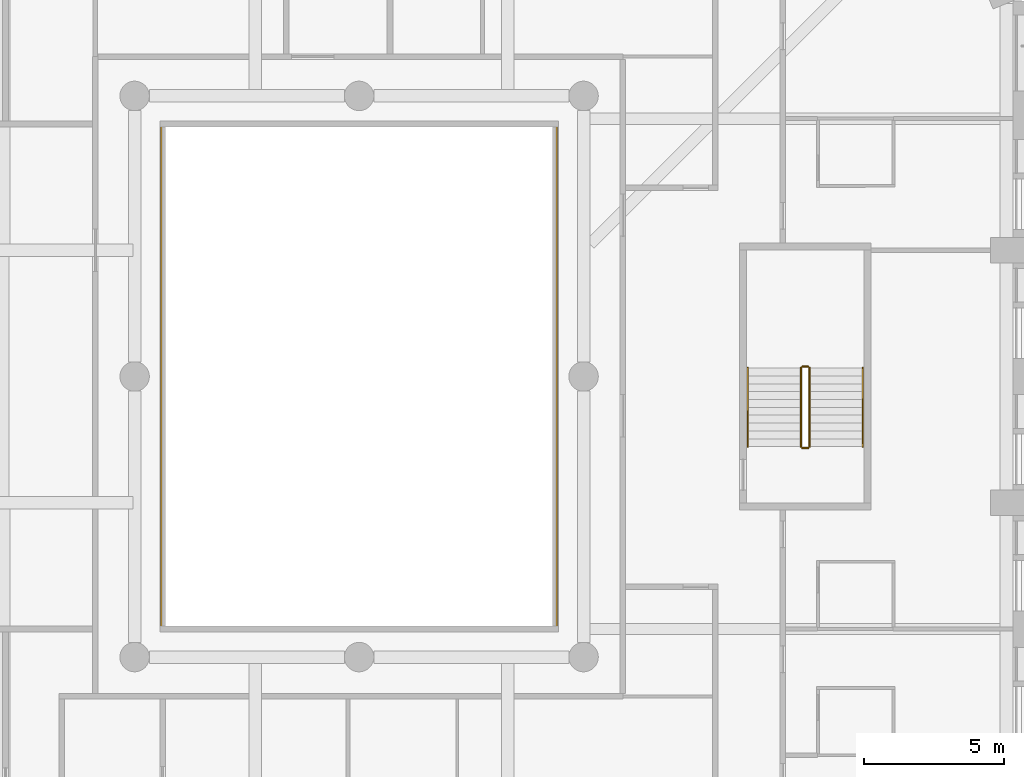
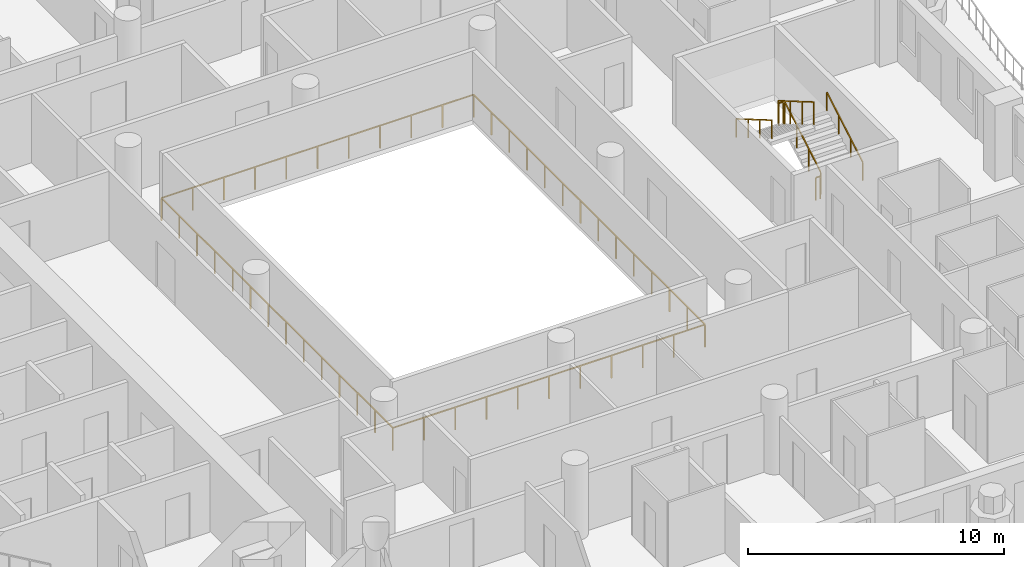
# One storey, part 15 of 20: 7 railings.
"""IFC4 building model written with IfcOpenShell, lengths in metres."""

from ifc_helpers import new_model, si_unit, direction, frame, origin, origin_2d, place, context, subcontext, project, spatial, rectangle, extrude, material, type_object, element, save


model = new_model("IFC4")

# Units and contexts
model_context = context("Model", 3, precision=1e-05, world=origin(), true_north=direction((0.0, 1.0)))
body_context = subcontext(model_context, "Body", "Model", "MODEL_VIEW")
ifc_project = project(units=[si_unit("LENGTHUNIT", "METRE"), si_unit("AREAUNIT", "SQUARE_METRE"), si_unit("VOLUMEUNIT", "CUBIC_METRE"), si_unit("PLANEANGLEUNIT", "RADIAN"), si_unit("MASSUNIT", "GRAM", prefix="KILO")], contexts=[model_context])

# Site, building, storey
site_placement = place(None, origin())
site = spatial("IfcSite", under=ifc_project, at=site_placement, CompositionType="ELEMENT")
building_placement = place(site_placement, origin())
building = spatial("IfcBuilding", under=site, at=building_placement, Name="Cypress Arch Tower", CompositionType="ELEMENT")
storey_placement = place(building_placement, frame((0.0, 0.0, 131.10009765625)))
storey = spatial("IfcBuildingStorey", under=building, at=storey_placement, Name="L28", CompositionType="ELEMENT", Elevation=131.10009765625)

# Railings
ifc_material_1 = material(Name="Stainless steel posts and handrail, laminated glass infill", Category="steel")
railing_type_1 = type_object("IfcRailingType", Name="Atrium guard GR1100A", PredefinedType="GUARDRAIL", material=ifc_material_1)
railing_1_placement = place(storey_placement, frame((8.050048828125, -9.050048828125, 0.0)))
element("IfcRailing", 1, at=railing_1_placement, inside=storey, type_object=railing_type_1, Name="Atrium guard L28", PredefinedType="GUARDRAIL", context=body_context, shape_type="SweptSolid", body=[
    extrude(rectangle(XDim=0.050048828125, YDim=0.050048828125, at=origin_2d()), frame((0.0, 0.0, 1.0751953125), z_axis=(-1.0, 0.0, 0.0), x_axis=(0.0, -1.0, 0.0)), (0.0, 0.0, 1.0), 14.10009765625),
    extrude(rectangle(XDim=0.050048828125, YDim=0.050048828125, at=origin_2d()), frame((-14.10009765625, 0.0, 1.0751953125), z_axis=(0.0, 1.0, 0.0), x_axis=(-1.0, 0.0, 0.0)), (0.0, 0.0, 1.0), 18.10009765625),
    extrude(rectangle(XDim=0.050048828125, YDim=0.050048828125, at=origin_2d()), frame((-14.10009765625, 18.10009765625, 1.0751953125), z_axis=(1.0, 0.0, 0.0), x_axis=(0.0, 1.0, 0.0)), (0.0, 0.0, 1.0), 14.10009765625),
    extrude(rectangle(XDim=0.050048828125, YDim=0.050048828125, at=origin_2d()), frame((0.0, 18.10009765625, 1.0751953125), z_axis=(0.0, -1.0, 0.0), x_axis=(1.0, 0.0, 0.0)), (0.0, 0.0, 1.0), 18.10009765625),
    extrude(rectangle(XDim=0.050048828125, YDim=0.050048828125, at=origin_2d()), origin(), (0.0, 0.0, 1.0), 1.050048828125),
    extrude(rectangle(XDim=0.050048828125, YDim=0.050048828125, at=origin_2d()), frame((-1.409912109375, 0.0, 0.0)), (0.0, 0.0, 1.0), 1.050048828125),
    extrude(rectangle(XDim=0.050048828125, YDim=0.050048828125, at=origin_2d()), frame((-2.820068359375, 0.0, 0.0)), (0.0, 0.0, 1.0), 1.050048828125),
    extrude(rectangle(XDim=0.050048828125, YDim=0.050048828125, at=origin_2d()), frame((-4.22998046875, 0.0, 0.0)), (0.0, 0.0, 1.0), 1.050048828125),
    extrude(rectangle(XDim=0.050048828125, YDim=0.050048828125, at=origin_2d()), frame((-5.64013671875, 0.0, 0.0)), (0.0, 0.0, 1.0), 1.050048828125),
    extrude(rectangle(XDim=0.050048828125, YDim=0.050048828125, at=origin_2d()), frame((-7.050048828125, 0.0, 0.0)), (0.0, 0.0, 1.0), 1.050048828125),
    extrude(rectangle(XDim=0.050048828125, YDim=0.050048828125, at=origin_2d()), frame((-8.4599609375, 0.0, 0.0)), (0.0, 0.0, 1.0), 1.050048828125),
    extrude(rectangle(XDim=0.050048828125, YDim=0.050048828125, at=origin_2d()), frame((-9.8701171875, 0.0, 0.0)), (0.0, 0.0, 1.0), 1.050048828125),
    extrude(rectangle(XDim=0.050048828125, YDim=0.050048828125, at=origin_2d()), frame((-11.280029296875, 0.0, 0.0)), (0.0, 0.0, 1.0), 1.050048828125),
    extrude(rectangle(XDim=0.050048828125, YDim=0.050048828125, at=origin_2d()), frame((-12.690185546875, 0.0, 0.0)), (0.0, 0.0, 1.0), 1.050048828125),
    extrude(rectangle(XDim=0.050048828125, YDim=0.050048828125, at=origin_2d()), frame((-14.10009765625, 0.0, 0.0)), (0.0, 0.0, 1.0), 1.050048828125),
    extrude(rectangle(XDim=0.050048828125, YDim=0.050048828125, at=origin_2d()), frame((-14.10009765625, 1.392333984375, 0.0)), (0.0, 0.0, 1.0), 1.050048828125),
    extrude(rectangle(XDim=0.050048828125, YDim=0.050048828125, at=origin_2d()), frame((-14.10009765625, 2.78466796875, 0.0)), (0.0, 0.0, 1.0), 1.050048828125),
    extrude(rectangle(XDim=0.050048828125, YDim=0.050048828125, at=origin_2d()), frame((-14.10009765625, 4.177001953125, 0.0)), (0.0, 0.0, 1.0), 1.050048828125),
    extrude(rectangle(XDim=0.050048828125, YDim=0.050048828125, at=origin_2d()), frame((-14.10009765625, 5.5693359375, 0.0)), (0.0, 0.0, 1.0), 1.050048828125),
    extrude(rectangle(XDim=0.050048828125, YDim=0.050048828125, at=origin_2d()), frame((-14.10009765625, 6.961669921875, 0.0)), (0.0, 0.0, 1.0), 1.050048828125),
    extrude(rectangle(XDim=0.050048828125, YDim=0.050048828125, at=origin_2d()), frame((-14.10009765625, 8.35400390625, 0.0)), (0.0, 0.0, 1.0), 1.050048828125),
    extrude(rectangle(XDim=0.050048828125, YDim=0.050048828125, at=origin_2d()), frame((-14.10009765625, 9.74609375, 0.0)), (0.0, 0.0, 1.0), 1.050048828125),
    extrude(rectangle(XDim=0.050048828125, YDim=0.050048828125, at=origin_2d()), frame((-14.10009765625, 11.138427734375, 0.0)), (0.0, 0.0, 1.0), 1.050048828125),
    extrude(rectangle(XDim=0.050048828125, YDim=0.050048828125, at=origin_2d()), frame((-14.10009765625, 12.53076171875, 0.0)), (0.0, 0.0, 1.0), 1.050048828125),
    extrude(rectangle(XDim=0.050048828125, YDim=0.050048828125, at=origin_2d()), frame((-14.10009765625, 13.923095703125, 0.0)), (0.0, 0.0, 1.0), 1.050048828125),
    extrude(rectangle(XDim=0.050048828125, YDim=0.050048828125, at=origin_2d()), frame((-14.10009765625, 15.3154296875, 0.0)), (0.0, 0.0, 1.0), 1.050048828125),
    extrude(rectangle(XDim=0.050048828125, YDim=0.050048828125, at=origin_2d()), frame((-14.10009765625, 16.707763671875, 0.0)), (0.0, 0.0, 1.0), 1.050048828125),
    extrude(rectangle(XDim=0.050048828125, YDim=0.050048828125, at=origin_2d()), frame((-14.10009765625, 18.10009765625, 0.0)), (0.0, 0.0, 1.0), 1.050048828125),
    extrude(rectangle(XDim=0.050048828125, YDim=0.050048828125, at=origin_2d()), frame((-12.690185546875, 18.10009765625, 0.0)), (0.0, 0.0, 1.0), 1.050048828125),
    extrude(rectangle(XDim=0.050048828125, YDim=0.050048828125, at=origin_2d()), frame((-11.280029296875, 18.10009765625, 0.0)), (0.0, 0.0, 1.0), 1.050048828125),
    extrude(rectangle(XDim=0.050048828125, YDim=0.050048828125, at=origin_2d()), frame((-9.8701171875, 18.10009765625, 0.0)), (0.0, 0.0, 1.0), 1.050048828125),
    extrude(rectangle(XDim=0.050048828125, YDim=0.050048828125, at=origin_2d()), frame((-8.4599609375, 18.10009765625, 0.0)), (0.0, 0.0, 1.0), 1.050048828125),
    extrude(rectangle(XDim=0.050048828125, YDim=0.050048828125, at=origin_2d()), frame((-7.050048828125, 18.10009765625, 0.0)), (0.0, 0.0, 1.0), 1.050048828125),
    extrude(rectangle(XDim=0.050048828125, YDim=0.050048828125, at=origin_2d()), frame((-5.64013671875, 18.10009765625, 0.0)), (0.0, 0.0, 1.0), 1.050048828125),
    extrude(rectangle(XDim=0.050048828125, YDim=0.050048828125, at=origin_2d()), frame((-4.22998046875, 18.10009765625, 0.0)), (0.0, 0.0, 1.0), 1.050048828125),
    extrude(rectangle(XDim=0.050048828125, YDim=0.050048828125, at=origin_2d()), frame((-2.820068359375, 18.10009765625, 0.0)), (0.0, 0.0, 1.0), 1.050048828125),
    extrude(rectangle(XDim=0.050048828125, YDim=0.050048828125, at=origin_2d()), frame((-1.409912109375, 18.10009765625, 0.0)), (0.0, 0.0, 1.0), 1.050048828125),
    extrude(rectangle(XDim=0.050048828125, YDim=0.050048828125, at=origin_2d()), frame((0.0, 18.10009765625, 0.0)), (0.0, 0.0, 1.0), 1.050048828125),
    extrude(rectangle(XDim=0.050048828125, YDim=0.050048828125, at=origin_2d()), frame((0.0, 16.707763671875, 0.0)), (0.0, 0.0, 1.0), 1.050048828125),
    extrude(rectangle(XDim=0.050048828125, YDim=0.050048828125, at=origin_2d()), frame((0.0, 15.3154296875, 0.0)), (0.0, 0.0, 1.0), 1.050048828125),
    extrude(rectangle(XDim=0.050048828125, YDim=0.050048828125, at=origin_2d()), frame((0.0, 13.923095703125, 0.0)), (0.0, 0.0, 1.0), 1.050048828125),
    extrude(rectangle(XDim=0.050048828125, YDim=0.050048828125, at=origin_2d()), frame((0.0, 12.53076171875, 0.0)), (0.0, 0.0, 1.0), 1.050048828125),
    extrude(rectangle(XDim=0.050048828125, YDim=0.050048828125, at=origin_2d()), frame((0.0, 11.138427734375, 0.0)), (0.0, 0.0, 1.0), 1.050048828125),
    extrude(rectangle(XDim=0.050048828125, YDim=0.050048828125, at=origin_2d()), frame((0.0, 9.74609375, 0.0)), (0.0, 0.0, 1.0), 1.050048828125),
    extrude(rectangle(XDim=0.050048828125, YDim=0.050048828125, at=origin_2d()), frame((0.0, 8.35400390625, 0.0)), (0.0, 0.0, 1.0), 1.050048828125),
    extrude(rectangle(XDim=0.050048828125, YDim=0.050048828125, at=origin_2d()), frame((0.0, 6.961669921875, 0.0)), (0.0, 0.0, 1.0), 1.050048828125),
    extrude(rectangle(XDim=0.050048828125, YDim=0.050048828125, at=origin_2d()), frame((0.0, 5.5693359375, 0.0)), (0.0, 0.0, 1.0), 1.050048828125),
    extrude(rectangle(XDim=0.050048828125, YDim=0.050048828125, at=origin_2d()), frame((0.0, 4.177001953125, 0.0)), (0.0, 0.0, 1.0), 1.050048828125),
    extrude(rectangle(XDim=0.050048828125, YDim=0.050048828125, at=origin_2d()), frame((0.0, 2.78466796875, 0.0)), (0.0, 0.0, 1.0), 1.050048828125),
    extrude(rectangle(XDim=0.050048828125, YDim=0.050048828125, at=origin_2d()), frame((0.0, 1.392333984375, 0.0)), (0.0, 0.0, 1.0), 1.050048828125),
])
ifc_material_2 = material(Name="Black powder-coated steel square bar 48 mm", Category="steel")
railing_type_2 = type_object("IfcRailingType", Name="Stair handrail HR1", PredefinedType="HANDRAIL", material=ifc_material_2)
railing_2_placement = place(storey_placement, frame((18.949951171875, -2.5, 0.16357421875)))
element("IfcRailing", 2, at=railing_2_placement, inside=storey, type_object=railing_type_2, Name="L28 C stair handrail 1", PredefinedType="HANDRAIL", context=body_context, shape_type="SweptSolid", body=[
    extrude(rectangle(XDim=0.048095703125, YDim=0.048095703125, at=origin_2d()), frame((0.0, 0.0, 0.8759765625), z_axis=(0.0, 0.863393664356, 0.504530851732), x_axis=(-1.0, 0.0, 0.0)), (0.0, 0.0, 1.0), 3.2431640625),
    extrude(rectangle(XDim=0.0419921875, YDim=0.0419921875, at=origin_2d()), origin(), (0.0, 0.0, 1.0), 0.851806640625),
    extrude(rectangle(XDim=0.0419921875, YDim=0.0419921875, at=origin_2d()), frame((0.0, 0.933349609375, 0.54541015625)), (0.0, 0.0, 1.0), 0.851806640625),
    extrude(rectangle(XDim=0.0419921875, YDim=0.0419921875, at=origin_2d()), frame((0.0, 1.86669921875, 1.0908203125)), (0.0, 0.0, 1.0), 0.851806640625),
    extrude(rectangle(XDim=0.0419921875, YDim=0.0419921875, at=origin_2d()), frame((0.0, 2.800048828125, 1.63623046875)), (0.0, 0.0, 1.0), 0.851806640625),
])
railing_3_placement = place(storey_placement, frame((14.85009765625, 0.300048828125, 1.963623046875)))
element("IfcRailing", 3, at=railing_3_placement, inside=storey, type_object=railing_type_2, Name="L28 C stair handrail 2", PredefinedType="HANDRAIL", context=body_context, shape_type="SweptSolid", body=[
    extrude(rectangle(XDim=0.048095703125, YDim=0.048095703125, at=origin_2d()), frame((0.0, 0.0, 0.8759765625), z_axis=(0.0, -0.863393664356, 0.504530851732), x_axis=(1.0, 0.0, 0.0)), (0.0, 0.0, 1.0), 3.2431640625),
    extrude(rectangle(XDim=0.0419921875, YDim=0.0419921875, at=origin_2d()), origin(), (0.0, 0.0, 1.0), 0.851806640625),
    extrude(rectangle(XDim=0.0419921875, YDim=0.0419921875, at=origin_2d()), frame((0.0, -0.933349609375, 0.54541015625)), (0.0, 0.0, 1.0), 0.851806640625),
    extrude(rectangle(XDim=0.0419921875, YDim=0.0419921875, at=origin_2d()), frame((0.0, -1.86669921875, 1.0908203125)), (0.0, 0.0, 1.0), 0.851806640625),
    extrude(rectangle(XDim=0.0419921875, YDim=0.0419921875, at=origin_2d()), frame((0.0, -2.800048828125, 1.63623046875)), (0.0, 0.0, 1.0), 0.851806640625),
])
ifc_material_3 = material(Name="Black powder-coated steel balusters", Category="steel")
railing_type_3 = type_object("IfcRailingType", Name="Stair well guard G1", PredefinedType="GUARDRAIL", material=ifc_material_3)
railing_4_placement = place(storey_placement, frame((17.050048828125, -2.5, 0.16357421875)))
element("IfcRailing", 4, at=railing_4_placement, inside=storey, type_object=railing_type_3, Name="L28 C stair guard 1", PredefinedType="GUARDRAIL", context=body_context, shape_type="SweptSolid", body=[
    extrude(rectangle(XDim=0.048095703125, YDim=0.048095703125, at=origin_2d()), frame((0.0, 0.0, 1.076171875), z_axis=(0.0, 0.863393664356, 0.504530851732), x_axis=(-1.0, 0.0, 0.0)), (0.0, 0.0, 1.0), 3.2431640625),
    extrude(rectangle(XDim=0.0419921875, YDim=0.0419921875, at=origin_2d()), origin(), (0.0, 0.0, 1.0), 1.052001953125),
    extrude(rectangle(XDim=0.0419921875, YDim=0.0419921875, at=origin_2d()), frame((0.0, 0.933349609375, 0.54541015625)), (0.0, 0.0, 1.0), 1.052001953125),
    extrude(rectangle(XDim=0.0419921875, YDim=0.0419921875, at=origin_2d()), frame((0.0, 1.86669921875, 1.0908203125)), (0.0, 0.0, 1.0), 1.052001953125),
    extrude(rectangle(XDim=0.0419921875, YDim=0.0419921875, at=origin_2d()), frame((0.0, 2.800048828125, 1.63623046875)), (0.0, 0.0, 1.0), 1.052001953125),
])
railing_5_placement = place(storey_placement, frame((17.0, 0.35009765625, 1.7998046875)))
element("IfcRailing", 5, at=railing_5_placement, inside=storey, type_object=railing_type_3, Name="L28 C stair guard 2", PredefinedType="GUARDRAIL", context=body_context, shape_type="SweptSolid", body=[
    extrude(rectangle(XDim=0.048095703125, YDim=0.048095703125, at=origin_2d()), frame((0.0, 0.0, 1.076171875), z_axis=(-1.0, 0.0, 0.0), x_axis=(0.0, -1.0, 0.0)), (0.0, 0.0, 1.0), 0.199951171875),
    extrude(rectangle(XDim=0.0419921875, YDim=0.0419921875, at=origin_2d()), origin(), (0.0, 0.0, 1.0), 1.052001953125),
    extrude(rectangle(XDim=0.0419921875, YDim=0.0419921875, at=origin_2d()), frame((-0.199951171875, 0.0, 0.0)), (0.0, 0.0, 1.0), 1.052001953125),
])
railing_6_placement = place(storey_placement, frame((16.75, 0.300048828125, 1.963623046875)))
element("IfcRailing", 6, at=railing_6_placement, inside=storey, type_object=railing_type_3, Name="L28 C stair guard 3", PredefinedType="GUARDRAIL", context=body_context, shape_type="SweptSolid", body=[
    extrude(rectangle(XDim=0.048095703125, YDim=0.048095703125, at=origin_2d()), frame((0.0, 0.0, 1.076171875), z_axis=(0.0, -0.863393664356, 0.504530851732), x_axis=(1.0, 0.0, 0.0)), (0.0, 0.0, 1.0), 3.2431640625),
    extrude(rectangle(XDim=0.0419921875, YDim=0.0419921875, at=origin_2d()), origin(), (0.0, 0.0, 1.0), 1.052001953125),
    extrude(rectangle(XDim=0.0419921875, YDim=0.0419921875, at=origin_2d()), frame((0.0, -0.933349609375, 0.54541015625)), (0.0, 0.0, 1.0), 1.052001953125),
    extrude(rectangle(XDim=0.0419921875, YDim=0.0419921875, at=origin_2d()), frame((0.0, -1.86669921875, 1.0908203125)), (0.0, 0.0, 1.0), 1.052001953125),
    extrude(rectangle(XDim=0.0419921875, YDim=0.0419921875, at=origin_2d()), frame((0.0, -2.800048828125, 1.63623046875)), (0.0, 0.0, 1.0), 1.052001953125),
])
railing_7_placement = place(storey_placement, frame((17.0, -2.550048828125, 0.0)))
element("IfcRailing", 7, at=railing_7_placement, inside=storey, type_object=railing_type_3, Name="L28 C stair guard 4", PredefinedType="GUARDRAIL", context=body_context, shape_type="SweptSolid", body=[
    extrude(rectangle(XDim=0.048095703125, YDim=0.048095703125, at=origin_2d()), frame((0.0, 0.0, 1.076171875), z_axis=(-1.0, 0.0, 0.0), x_axis=(0.0, -1.0, 0.0)), (0.0, 0.0, 1.0), 0.199951171875),
    extrude(rectangle(XDim=0.0419921875, YDim=0.0419921875, at=origin_2d()), origin(), (0.0, 0.0, 1.0), 1.052001953125),
    extrude(rectangle(XDim=0.0419921875, YDim=0.0419921875, at=origin_2d()), frame((-0.199951171875, 0.0, 0.0)), (0.0, 0.0, 1.0), 1.052001953125),
])

save(model, "model.ifc")
